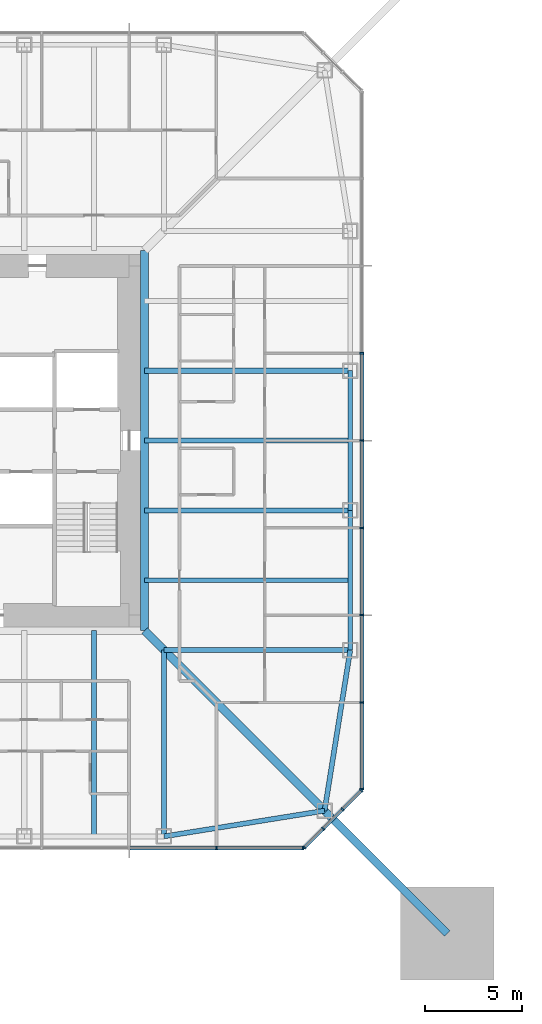
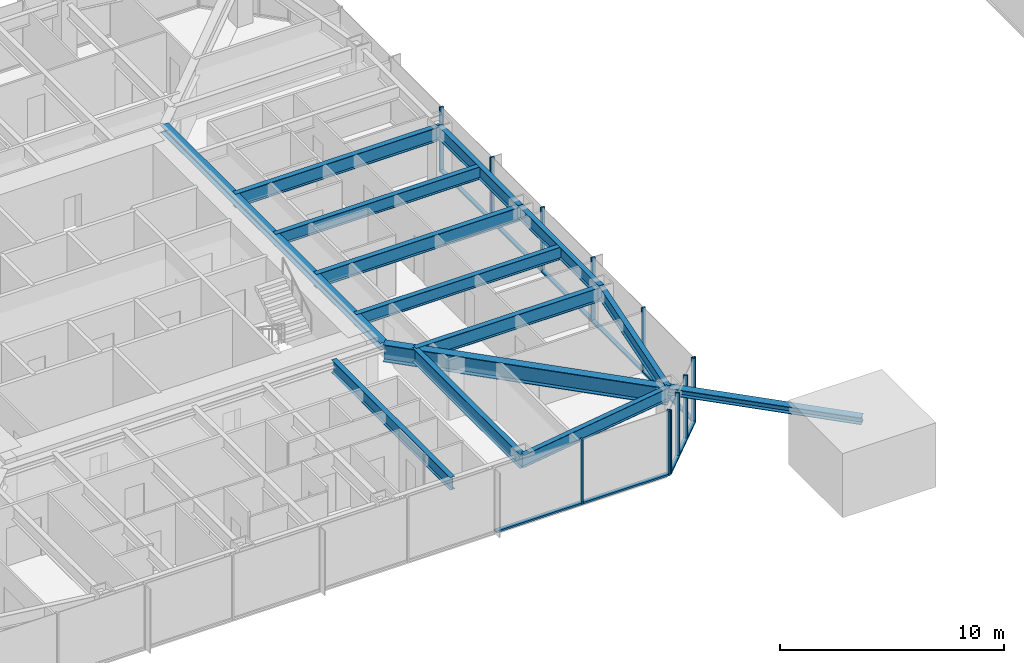
# One storey, part 5 of 25: 23 members, 13 beams, 3 elements without a shape of their own.
"""IFC4 building model written with IfcOpenShell, lengths in metres."""

from ifc_helpers import new_model, si_unit, direction, frame, origin, origin_2d, place, context, subcontext, project, spatial, rectangle, i_section, extrude, material, material_profile, profile_set, type_object, element, aggregate, save


model = new_model("IFC4")

# Units and contexts
model_context = context("Model", 3, precision=1e-05, world=origin(), true_north=direction((0.0, 1.0)))
body_context = subcontext(model_context, "Body", "Model", "MODEL_VIEW")
ifc_project = project(units=[si_unit("LENGTHUNIT", "METRE"), si_unit("AREAUNIT", "SQUARE_METRE"), si_unit("VOLUMEUNIT", "CUBIC_METRE"), si_unit("PLANEANGLEUNIT", "RADIAN"), si_unit("MASSUNIT", "GRAM", prefix="KILO")], contexts=[model_context])

# Site, building, storey
site_placement = place(None, origin())
site = spatial("IfcSite", under=ifc_project, at=site_placement, CompositionType="ELEMENT")
building_placement = place(site_placement, origin())
building = spatial("IfcBuilding", under=site, at=building_placement, Name="Iwan Alto Co-Living Towers", CompositionType="ELEMENT")
storey_placement = place(building_placement, frame((0.0, 0.0, 84.0)))
storey = spatial("IfcBuildingStorey", under=building, at=storey_placement, Name="L22", CompositionType="ELEMENT", Elevation=84.0)

# Curtain wall, members
ifc_material_1 = material(Name="Bronze aluminium unitised frame", Category="aluminium")
curtain_wall_type_1 = type_object("IfcCurtainWallType", Name="CURTAIN WALL CW-A", PredefinedType="NOTDEFINED", material=ifc_material_1)
curtain_wall_1_placement = place(storey_placement, origin())
curtain_wall_1 = element("IfcCurtainWall", 1, at=curtain_wall_1_placement, inside=storey, type_object=curtain_wall_type_1, Name="T1 curtain wall S L22", PredefinedType="NOTDEFINED")
ifc_material_2 = material(Name="Aluminium 6063-T6 bronze anodised", Category="aluminium")
ifc_material_profile_1 = material_profile(ifc_material_2, rectangle(XDim=0.199951171875, YDim=0.080078125, at=origin_2d()), Name="AL 80X200")
ifc_profile_set_1 = profile_set([ifc_material_profile_1], Name="Aluminium 6063-T6 bronze anodised")
member_type_1 = type_object("IfcMemberType", Name="CW-A MULLION 80X200", PredefinedType="MULLION", material=ifc_profile_set_1)
member_1_placement = place(storey_placement, frame((13.5, -21.0, 0.0), z_axis=(0.0, 0.0, 1.0), x_axis=(0.0, 1.0, 0.0)))
member_1 = element("IfcMember", 2, at=member_1_placement, type_object=member_type_1, Name="CW-A mullion 8", PredefinedType="MULLION", context=body_context, shape_type="SweptSolid", body=[
    extrude(rectangle(XDim=0.199951171875, YDim=0.080078125, at=origin_2d()), origin(), (0.0, 0.0, 1.0), 3.5),
])
member_2_placement = place(storey_placement, frame((17.9599609375, -21.0, 0.0), z_axis=(0.0, 0.0, 1.0), x_axis=(0.0, 1.0, 0.0)))
member_2 = element("IfcMember", 3, at=member_2_placement, type_object=member_type_1, Name="CW-A mullion 9", PredefinedType="MULLION", context=body_context, shape_type="SweptSolid", body=[
    extrude(rectangle(XDim=0.199951171875, YDim=0.080078125, at=origin_2d()), origin(), (0.0, 0.0, 1.0), 3.5),
])

curtain_wall_2_placement = place(storey_placement, origin())
curtain_wall_2 = element("IfcCurtainWall", 4, at=curtain_wall_2_placement, inside=storey, type_object=curtain_wall_type_1, Name="T1 curtain wall E L22", PredefinedType="NOTDEFINED")
member_3_placement = place(storey_placement, frame((21.0, -17.9599609375, 0.0), z_axis=(0.0, 0.0, 1.0), x_axis=(-1.0, 0.0, 0.0)))
member_3 = element("IfcMember", 5, at=member_3_placement, type_object=member_type_1, Name="CW-A mullion 1", PredefinedType="MULLION", context=body_context, shape_type="SweptSolid", body=[
    extrude(rectangle(XDim=0.199951171875, YDim=0.080078125, at=origin_2d()), origin(), (0.0, 0.0, 1.0), 3.5),
])
member_4_placement = place(storey_placement, frame((21.0, -13.5, 0.0), z_axis=(0.0, 0.0, 1.0), x_axis=(-1.0, 0.0, 0.0)))
member_4 = element("IfcMember", 6, at=member_4_placement, type_object=member_type_1, Name="CW-A mullion 2", PredefinedType="MULLION", context=body_context, shape_type="SweptSolid", body=[
    extrude(rectangle(XDim=0.199951171875, YDim=0.080078125, at=origin_2d()), origin(), (0.0, 0.0, 1.0), 3.5),
])
member_5_placement = place(storey_placement, frame((21.0, -9.0, 0.0), z_axis=(0.0, 0.0, 1.0), x_axis=(-1.0, 0.0, 0.0)))
member_5 = element("IfcMember", 7, at=member_5_placement, type_object=member_type_1, Name="CW-A mullion 3", PredefinedType="MULLION", context=body_context, shape_type="SweptSolid", body=[
    extrude(rectangle(XDim=0.199951171875, YDim=0.080078125, at=origin_2d()), origin(), (0.0, 0.0, 1.0), 3.5),
])
member_6_placement = place(storey_placement, frame((21.0, -4.5, 0.0), z_axis=(0.0, 0.0, 1.0), x_axis=(-1.0, 0.0, 0.0)))
member_6 = element("IfcMember", 8, at=member_6_placement, type_object=member_type_1, Name="CW-A mullion 4", PredefinedType="MULLION", context=body_context, shape_type="SweptSolid", body=[
    extrude(rectangle(XDim=0.199951171875, YDim=0.080078125, at=origin_2d()), origin(), (0.0, 0.0, 1.0), 3.5),
])
member_7_placement = place(storey_placement, frame((21.0, 0.0, 0.0), z_axis=(0.0, 0.0, 1.0), x_axis=(-1.0, 0.0, 0.0)))
member_7 = element("IfcMember", 9, at=member_7_placement, type_object=member_type_1, Name="CW-A mullion 5", PredefinedType="MULLION", context=body_context, shape_type="SweptSolid", body=[
    extrude(rectangle(XDim=0.199951171875, YDim=0.080078125, at=origin_2d()), origin(), (0.0, 0.0, 1.0), 3.5),
])
member_8_placement = place(storey_placement, frame((21.0, 4.5, 0.0), z_axis=(0.0, 0.0, 1.0), x_axis=(-1.0, 0.0, 0.0)))
member_8 = element("IfcMember", 10, at=member_8_placement, type_object=member_type_1, Name="CW-A mullion 6", PredefinedType="MULLION", context=body_context, shape_type="SweptSolid", body=[
    extrude(rectangle(XDim=0.199951171875, YDim=0.080078125, at=origin_2d()), origin(), (0.0, 0.0, 1.0), 3.5),
])

# Member
ifc_material_3 = material(Name="Aluminium 6063-T6 bronze anodised", Category="aluminium")
ifc_material_profile_2 = material_profile(ifc_material_3, rectangle(XDim=0.199951171875, YDim=0.10009765625, at=origin_2d()), Name="AL 200X100")
ifc_profile_set_2 = profile_set([ifc_material_profile_2], Name="Aluminium 6063-T6 bronze anodised")
member_type_2 = type_object("IfcMemberType", Name="CW-A TRANSOM 200X100", PredefinedType="USERDEFINED", material=ifc_profile_set_2)
member_9_placement = place(storey_placement, frame((9.0400390625, -21.0, 0.050048828125), z_axis=(1.0, 0.0, 0.0), x_axis=(0.0, 1.0, 0.0)))
member_9 = element("IfcMember", 11, at=member_9_placement, type_object=member_type_2, Name="CW-A transom 7.1", ObjectType="TRANSOM", PredefinedType="USERDEFINED", context=body_context, shape_type="SweptSolid", body=[
    extrude(rectangle(XDim=0.199951171875, YDim=0.10009765625, at=origin_2d()), origin(), (0.0, 0.0, 1.0), 4.419921875),
])

member_10_placement = place(storey_placement, frame((13.5400390625, -21.0, 0.050048828125), z_axis=(1.0, 0.0, 0.0), x_axis=(0.0, 1.0, 0.0)))
member_10 = element("IfcMember", 12, at=member_10_placement, type_object=member_type_2, Name="CW-A transom 8.1", ObjectType="TRANSOM", PredefinedType="USERDEFINED", context=body_context, shape_type="SweptSolid", body=[
    extrude(rectangle(XDim=0.199951171875, YDim=0.10009765625, at=origin_2d()), origin(), (0.0, 0.0, 1.0), 4.3798828125),
])

aggregate(curtain_wall_1, [member_1, member_2, member_9, member_10])

member_11_placement = place(storey_placement, frame((21.0, -17.919921875, 0.050048828125), z_axis=(0.0, 1.0, 0.0), x_axis=(-1.0, 0.0, 0.0)))
member_11 = element("IfcMember", 13, at=member_11_placement, type_object=member_type_2, Name="CW-A transom 1.1", ObjectType="TRANSOM", PredefinedType="USERDEFINED", context=body_context, shape_type="SweptSolid", body=[
    extrude(rectangle(XDim=0.199951171875, YDim=0.10009765625, at=origin_2d()), origin(), (0.0, 0.0, 1.0), 4.3798828125),
])

member_12_placement = place(storey_placement, frame((21.0, -13.4599609375, 0.050048828125), z_axis=(0.0, 1.0, 0.0), x_axis=(-1.0, 0.0, 0.0)))
member_12 = element("IfcMember", 14, at=member_12_placement, type_object=member_type_2, Name="CW-A transom 2.1", ObjectType="TRANSOM", PredefinedType="USERDEFINED", context=body_context, shape_type="SweptSolid", body=[
    extrude(rectangle(XDim=0.199951171875, YDim=0.10009765625, at=origin_2d()), origin(), (0.0, 0.0, 1.0), 4.419921875),
])

member_13_placement = place(storey_placement, frame((21.0, -8.9599609375, 0.050048828125), z_axis=(0.0, 1.0, 0.0), x_axis=(-1.0, 0.0, 0.0)))
member_13 = element("IfcMember", 15, at=member_13_placement, type_object=member_type_2, Name="CW-A transom 3.1", ObjectType="TRANSOM", PredefinedType="USERDEFINED", context=body_context, shape_type="SweptSolid", body=[
    extrude(rectangle(XDim=0.199951171875, YDim=0.10009765625, at=origin_2d()), origin(), (0.0, 0.0, 1.0), 4.419921875),
])

member_14_placement = place(storey_placement, frame((21.0, -4.4599609375, 0.050048828125), z_axis=(0.0, 1.0, 0.0), x_axis=(-1.0, 0.0, 0.0)))
member_14 = element("IfcMember", 16, at=member_14_placement, type_object=member_type_2, Name="CW-A transom 4.1", ObjectType="TRANSOM", PredefinedType="USERDEFINED", context=body_context, shape_type="SweptSolid", body=[
    extrude(rectangle(XDim=0.199951171875, YDim=0.10009765625, at=origin_2d()), origin(), (0.0, 0.0, 1.0), 4.419921875),
])

member_15_placement = place(storey_placement, frame((21.0, 0.0400390625, 0.050048828125), z_axis=(0.0, 1.0, 0.0), x_axis=(-1.0, 0.0, 0.0)))
member_15 = element("IfcMember", 17, at=member_15_placement, type_object=member_type_2, Name="CW-A transom 5.1", ObjectType="TRANSOM", PredefinedType="USERDEFINED", context=body_context, shape_type="SweptSolid", body=[
    extrude(rectangle(XDim=0.199951171875, YDim=0.10009765625, at=origin_2d()), origin(), (0.0, 0.0, 1.0), 4.419921875),
])

aggregate(curtain_wall_2, [member_3, member_4, member_5, member_6, member_7, member_8, member_11, member_12, member_13, member_14, member_15])

# Curtain wall, members
ifc_material_4 = material(Name="Bronze aluminium unitised frame", Category="aluminium")
curtain_wall_type_2 = type_object("IfcCurtainWallType", Name="CURTAIN WALL CW-B", PredefinedType="NOTDEFINED", material=ifc_material_4)
curtain_wall_3_placement = place(storey_placement, origin())
curtain_wall_3 = element("IfcCurtainWall", 18, at=curtain_wall_3_placement, inside=storey, type_object=curtain_wall_type_2, Name="T1 chamfer curtain wall SE L22", PredefinedType="NOTDEFINED")
ifc_material_5 = material(Name="Aluminium 6063-T6 bronze anodised", Category="aluminium")
ifc_material_profile_3 = material_profile(ifc_material_5, rectangle(XDim=0.199951171875, YDim=0.080078125, at=origin_2d()), Name="AL 80X200")
ifc_profile_set_3 = profile_set([ifc_material_profile_3], Name="Aluminium 6063-T6 bronze anodised")
member_type_3 = type_object("IfcMemberType", Name="CW-B MULLION 80X200", PredefinedType="MULLION", material=ifc_profile_set_3)
member_16_placement = place(storey_placement, frame((18.0283203125, -20.9716796875, 0.0), z_axis=(0.0, 0.0, 1.0), x_axis=(-0.707106781187, 0.707106781187, 0.0)))
member_16 = element("IfcMember", 19, at=member_16_placement, type_object=member_type_3, Name="CW-B mullion 1", PredefinedType="MULLION", context=body_context, shape_type="SweptSolid", body=[
    extrude(rectangle(XDim=0.199951171875, YDim=0.080078125, at=origin_2d()), origin(), (0.0, 0.0, 1.0), 3.5),
])
member_17_placement = place(storey_placement, frame((19.0, -20.0, 0.0), z_axis=(0.0, 0.0, 1.0), x_axis=(-0.707106781187, 0.707106781187, 0.0)))
member_17 = element("IfcMember", 20, at=member_17_placement, type_object=member_type_3, Name="CW-B mullion 2", PredefinedType="MULLION", context=body_context, shape_type="SweptSolid", body=[
    extrude(rectangle(XDim=0.199951171875, YDim=0.080078125, at=origin_2d()), origin(), (0.0, 0.0, 1.0), 3.5),
])
member_18_placement = place(storey_placement, frame((20.0, -19.0, 0.0), z_axis=(0.0, 0.0, 1.0), x_axis=(-0.707106781187, 0.707106781187, 0.0)))
member_18 = element("IfcMember", 21, at=member_18_placement, type_object=member_type_3, Name="CW-B mullion 3", PredefinedType="MULLION", context=body_context, shape_type="SweptSolid", body=[
    extrude(rectangle(XDim=0.199951171875, YDim=0.080078125, at=origin_2d()), origin(), (0.0, 0.0, 1.0), 3.5),
])
member_19_placement = place(storey_placement, frame((20.9716796875, -18.0283203125, 0.0), z_axis=(0.0, 0.0, 1.0), x_axis=(-0.707106781187, 0.707106781187, 0.0)))
member_19 = element("IfcMember", 22, at=member_19_placement, type_object=member_type_3, Name="CW-B mullion 4", PredefinedType="MULLION", context=body_context, shape_type="SweptSolid", body=[
    extrude(rectangle(XDim=0.199951171875, YDim=0.080078125, at=origin_2d()), origin(), (0.0, 0.0, 1.0), 3.5),
])
ifc_material_6 = material(Name="Aluminium 6063-T6 bronze anodised", Category="aluminium")
ifc_material_profile_4 = material_profile(ifc_material_6, rectangle(XDim=0.199951171875, YDim=0.10009765625, at=origin_2d()), Name="AL 200X100")
ifc_profile_set_4 = profile_set([ifc_material_profile_4], Name="Aluminium 6063-T6 bronze anodised")
member_type_4 = type_object("IfcMemberType", Name="CW-B TRANSOM 200X100", PredefinedType="USERDEFINED", material=ifc_profile_set_4)
member_20_placement = place(storey_placement, frame((18.056640625, -20.943359375, 0.050048828125), z_axis=(0.707106781187, 0.707106781187, 0.0), x_axis=(-0.707106781187, 0.707106781187, 0.0)))
member_20 = element("IfcMember", 23, at=member_20_placement, type_object=member_type_4, Name="CW-B transom 1.1", ObjectType="TRANSOM", PredefinedType="USERDEFINED", context=body_context, shape_type="SweptSolid", body=[
    extrude(rectangle(XDim=0.199951171875, YDim=0.10009765625, at=origin_2d()), origin(), (0.0, 0.0, 1.0), 1.2939453125),
])
member_21_placement = place(storey_placement, frame((19.0283203125, -19.9716796875, 0.050048828125), z_axis=(0.707106781187, 0.707106781187, 0.0), x_axis=(-0.707106781187, 0.707106781187, 0.0)))
member_21 = element("IfcMember", 24, at=member_21_placement, type_object=member_type_4, Name="CW-B transom 2.1", ObjectType="TRANSOM", PredefinedType="USERDEFINED", context=body_context, shape_type="SweptSolid", body=[
    extrude(rectangle(XDim=0.199951171875, YDim=0.10009765625, at=origin_2d()), origin(), (0.0, 0.0, 1.0), 1.334228515625),
])
member_22_placement = place(storey_placement, frame((20.0283203125, -18.9716796875, 0.050048828125), z_axis=(0.707106781187, 0.707106781187, 0.0), x_axis=(-0.707106781187, 0.707106781187, 0.0)))
member_22 = element("IfcMember", 25, at=member_22_placement, type_object=member_type_4, Name="CW-B transom 3.1", ObjectType="TRANSOM", PredefinedType="USERDEFINED", context=body_context, shape_type="SweptSolid", body=[
    extrude(rectangle(XDim=0.199951171875, YDim=0.10009765625, at=origin_2d()), origin(), (0.0, 0.0, 1.0), 1.2939453125),
])
aggregate(curtain_wall_3, [member_16, member_17, member_18, member_19, member_20, member_21, member_22])

# Beams
ifc_material_7 = material(Name="Steel ASTM A992 Gr 50", Category="steel")
ifc_material_profile_5 = material_profile(ifc_material_7, i_section(OverallWidth=0.398681640625, OverallDepth=0.385986328125, WebThickness=0.02099609375, FlangeThickness=0.033203125, at=origin_2d()), Name="W14X176")
ifc_profile_set_5 = profile_set([ifc_material_profile_5], Name="Steel ASTM A992 Gr 50")
beam_type_1 = type_object("IfcBeamType", Name="T1 CORE LEDGER BEAM W14X176", PredefinedType="BEAM", material=ifc_profile_set_5)
beam_1_placement = place(storey_placement, frame((9.79931640625, -9.79931640625, 3.076904296875), z_axis=(0.0, 1.0, 0.0), x_axis=(-1.0, 0.0, 0.0)))
element("IfcBeam", 26, at=beam_1_placement, inside=storey, type_object=beam_type_1, Name="T1 core ledger beam E L23", PredefinedType="BEAM", context=body_context, shape_type="SweptSolid", body=[
    extrude(i_section(OverallWidth=0.398681640625, OverallDepth=0.385986328125, WebThickness=0.02099609375, FlangeThickness=0.033203125, at=origin_2d()), origin(), (0.0, 0.0, 1.0), 19.5986328125),
])
ifc_material_8 = material(Name="Steel ASTM A992 Gr 50", Category="steel")
ifc_material_profile_6 = material_profile(ifc_material_8, i_section(OverallWidth=0.419189453125, OverallDepth=0.927001953125, WebThickness=0.019287109375, FlangeThickness=0.031982421875, at=origin_2d()), Name="W36X231")
ifc_profile_set_6 = profile_set([ifc_material_profile_6], Name="Steel ASTM A992 Gr 50")
beam_type_2 = type_object("IfcBeamType", Name="T1 CORNER GIRDER W36X231", PredefinedType="BEAM", material=ifc_profile_set_6)
beam_2_placement = place(storey_placement, frame((19.07568359375, -19.07568359375, 2.806396484375), z_axis=(-0.707106781187, 0.707106781187, 0.0), x_axis=(-0.707106781187, -0.707106781187, 0.0)))
element("IfcBeam", 27, at=beam_2_placement, inside=storey, type_object=beam_type_2, Name="T1 corner girder CSE L23", PredefinedType="BEAM", context=body_context, shape_type="SweptSolid", body=[
    extrude(i_section(OverallWidth=0.419189453125, OverallDepth=0.927001953125, WebThickness=0.019287109375, FlangeThickness=0.031982421875, at=origin_2d()), origin(), (0.0, 0.0, 1.0), 13.11865234375),
])
ifc_material_9 = material(Name="Steel ASTM A992 Gr 50", Category="steel")
ifc_material_profile_7 = material_profile(ifc_material_9, i_section(OverallWidth=0.25390625, OverallDepth=0.683349609375, WebThickness=0.012451171875, FlangeThickness=0.018798828125, at=origin_2d()), Name="W27X94")
ifc_profile_set_7 = profile_set([ifc_material_profile_7], Name="Steel ASTM A992 Gr 50")
beam_type_3 = type_object("IfcBeamType", Name="T1 EDGE BEAM W27X94", PredefinedType="BEAM", material=ifc_profile_set_7)
for number, where, z_axis, x_axis, name in (
    (28, (10.800048828125, -20.39990234375, 2.928466796875), (0.987438450439, 0.158004134737, 0.0), (-0.158004134737, 0.987438450439, 0.0), "T1 edge beam S4 L23"),
    (29, (19.07568359375, -19.07568359375, 2.928466796875), (0.158004134737, 0.987438450439, 0.0), (-0.987438450439, 0.158004134737, 0.0), "T1 edge beam CSE L23"),
):
    element("IfcBeam", number, at=place(storey_placement, frame(where, z_axis=z_axis, x_axis=x_axis)), inside=storey, type_object=beam_type_3, Name=name, PredefinedType="BEAM", context=body_context, shape_type="SweptSolid", body=[
        extrude(i_section(OverallWidth=0.25390625, OverallDepth=0.683349609375, WebThickness=0.012451171875, FlangeThickness=0.018798828125, at=origin_2d()), origin(), (0.0, 0.0, 1.0), 8.380859375),
    ])
beam_3_placement = place(storey_placement, frame((20.39990234375, -10.800048828125, 2.928466796875), z_axis=(0.0, 1.0, 0.0), x_axis=(-1.0, 0.0, 0.0)))
element("IfcBeam", 30, at=beam_3_placement, inside=storey, type_object=beam_type_3, Name="T1 edge beam E1 L23", PredefinedType="BEAM", context=body_context, shape_type="SweptSolid", body=[
    extrude(i_section(OverallWidth=0.25390625, OverallDepth=0.683349609375, WebThickness=0.012451171875, FlangeThickness=0.018798828125, at=origin_2d()), origin(), (0.0, 0.0, 1.0), 7.199951171875),
])
beam_4_placement = place(storey_placement, frame((20.39990234375, -3.60009765625, 2.928466796875), z_axis=(0.0, 1.0, 0.0), x_axis=(-1.0, 0.0, 0.0)))
element("IfcBeam", 31, at=beam_4_placement, inside=storey, type_object=beam_type_3, Name="T1 edge beam E2 L23", PredefinedType="BEAM", context=body_context, shape_type="SweptSolid", body=[
    extrude(i_section(OverallWidth=0.25390625, OverallDepth=0.683349609375, WebThickness=0.012451171875, FlangeThickness=0.018798828125, at=origin_2d()), origin(), (0.0, 0.0, 1.0), 7.2001953125),
])

# Member
ifc_material_10 = material(Name="Steel ASTM A992 Gr 50", Category="steel")
ifc_material_profile_8 = material_profile(ifc_material_10, i_section(OverallWidth=0.393798828125, OverallDepth=0.3759765625, WebThickness=0.017333984375, FlangeThickness=0.027587890625, at=origin_2d()), Name="W14X145")
ifc_profile_set_8 = profile_set([ifc_material_profile_8], Name="Steel ASTM A992 Gr 50")
member_type_5 = type_object("IfcMemberType", Name="T1 MEGA COLUMN FLOOR TIE W14X145", PredefinedType="STRUT", material=ifc_profile_set_8)
member_23_placement = place(storey_placement, frame((25.39990234375, -25.39990234375, 3.08203125), z_axis=(-0.707106781187, 0.707106781187, 0.0), x_axis=(-0.707106781187, -0.707106781187, 0.0)))
element("IfcMember", 32, at=member_23_placement, inside=storey, type_object=member_type_5, Name="T1 mega column floor tie SE L23", PredefinedType="STRUT", context=body_context, shape_type="SweptSolid", body=[
    extrude(i_section(OverallWidth=0.393798828125, OverallDepth=0.3759765625, WebThickness=0.017333984375, FlangeThickness=0.027587890625, at=origin_2d()), origin(), (0.0, 0.0, 1.0), 8.94384765625),
])

# Beams
ifc_material_11 = material(Name="Steel ASTM A992 Gr 50", Category="steel")
ifc_material_profile_9 = material_profile(ifc_material_11, i_section(OverallWidth=0.2666015625, OverallDepth=0.761962890625, WebThickness=0.014404296875, FlangeThickness=0.021484375, at=origin_2d()), Name="W30X116")
ifc_profile_set_9 = profile_set([ifc_material_profile_9], Name="Steel ASTM A992 Gr 50")
beam_type_4 = type_object("IfcBeamType", Name="T1 RADIAL BEAM W30X116", PredefinedType="BEAM", material=ifc_profile_set_9)
for number, where, z_axis, x_axis, name in (
    (33, (10.800048828125, -20.39990234375, 2.888916015625), (0.0, 1.0, 0.0), (-1.0, 0.0, 0.0), "T1 radial beam S4 L23"),
    (34, (20.39990234375, -10.800048828125, 2.888916015625), (-1.0, 0.0, 0.0), (0.0, -1.0, 0.0), "T1 radial beam E1 L23"),
):
    element("IfcBeam", number, at=place(storey_placement, frame(where, z_axis=z_axis, x_axis=x_axis)), inside=storey, type_object=beam_type_4, Name=name, PredefinedType="BEAM", context=body_context, shape_type="SweptSolid", body=[
        extrude(i_section(OverallWidth=0.2666015625, OverallDepth=0.761962890625, WebThickness=0.014404296875, FlangeThickness=0.021484375, at=origin_2d()), origin(), (0.0, 0.0, 1.0), 9.599853515625),
    ])
for number, where, z_axis, x_axis, name in (
    (35, (20.39990234375, -3.60009765625, 2.888916015625), (-1.0, 0.0, 0.0), (0.0, -1.0, 0.0), "T1 radial beam E2 L23"),
    (36, (20.39990234375, 3.60009765625, 2.888916015625), (-1.0, 0.0, 0.0), (0.0, -1.0, 0.0), "T1 radial beam E3 L23"),
):
    element("IfcBeam", number, at=place(storey_placement, frame(where, z_axis=z_axis, x_axis=x_axis)), inside=storey, type_object=beam_type_4, Name=name, PredefinedType="BEAM", context=body_context, shape_type="SweptSolid", body=[
        extrude(i_section(OverallWidth=0.2666015625, OverallDepth=0.761962890625, WebThickness=0.014404296875, FlangeThickness=0.021484375, at=origin_2d()), origin(), (0.0, 0.0, 1.0), 10.6005859375),
    ])
ifc_material_12 = material(Name="Steel ASTM A992 Gr 50", Category="steel")
ifc_material_profile_10 = material_profile(ifc_material_12, i_section(OverallWidth=0.25390625, OverallDepth=0.683349609375, WebThickness=0.012451171875, FlangeThickness=0.018798828125, at=origin_2d()), Name="W27X94")
ifc_profile_set_10 = profile_set([ifc_material_profile_10], Name="Steel ASTM A992 Gr 50")
beam_type_5 = type_object("IfcBeamType", Name="T1 SECONDARY BEAM W27X94", PredefinedType="JOIST", material=ifc_profile_set_10)
for number, where, z_axis, x_axis, name in (
    (37, (7.199951171875, -20.39990234375, 2.928466796875), (0.0, 1.0, 0.0), (-1.0, 0.0, 0.0), "T1 secondary beam S3 L23"),
    (38, (20.39990234375, -7.199951171875, 2.928466796875), (-1.0, 0.0, 0.0), (0.0, -1.0, 0.0), "T1 secondary beam E1 L23"),
    (39, (20.39990234375, 0.0, 2.928466796875), (-1.0, 0.0, 0.0), (0.0, -1.0, 0.0), "T1 secondary beam E2 L23"),
):
    element("IfcBeam", number, at=place(storey_placement, frame(where, z_axis=z_axis, x_axis=x_axis)), inside=storey, type_object=beam_type_5, Name=name, PredefinedType="JOIST", context=body_context, shape_type="SweptSolid", body=[
        extrude(i_section(OverallWidth=0.25390625, OverallDepth=0.683349609375, WebThickness=0.012451171875, FlangeThickness=0.018798828125, at=origin_2d()), origin(), (0.0, 0.0, 1.0), 10.6005859375),
    ])

save(model, "model.ifc")
